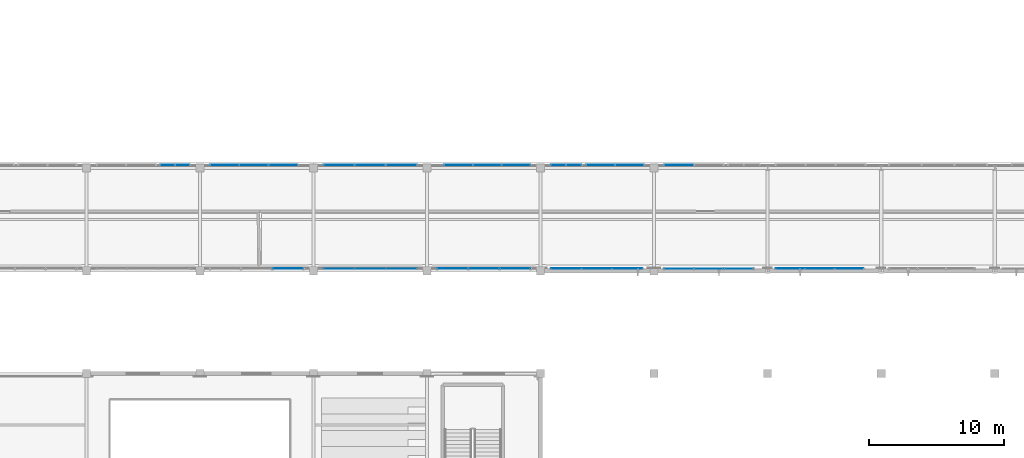
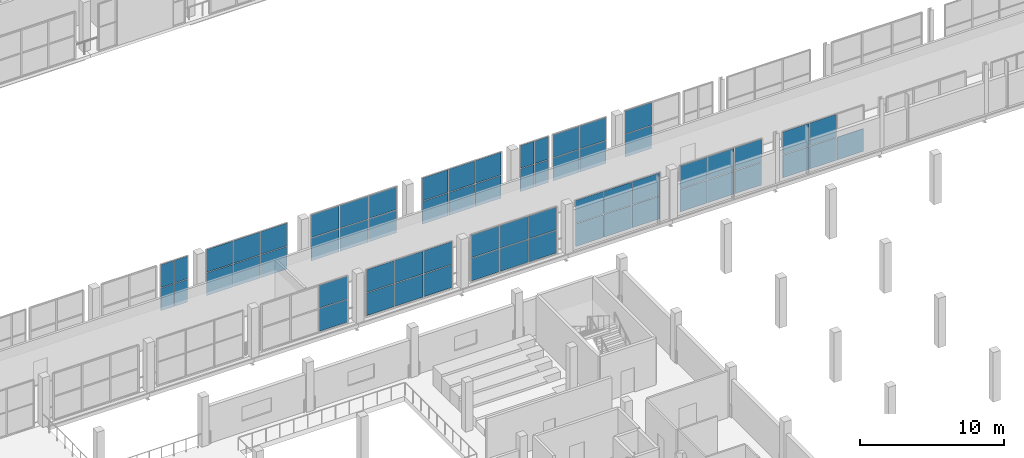
# One storey, part 115 of 151: 63 plates, 13 elements without a shape of their own.
"""IFC4 building model written with IfcOpenShell, lengths in metres."""

from ifc_helpers import new_model, si_unit, direction, frame, origin, origin_2d, place, context, subcontext, project, spatial, rectangle, extrude, material, layer, layer_set, type_object, element, aggregate, save


model = new_model("IFC4")

# Units and contexts
model_context = context("Model", 3, precision=1e-05, world=origin(), true_north=direction((0.0, 1.0)))
body_context = subcontext(model_context, "Body", "Model", "MODEL_VIEW")
ifc_project = project(units=[si_unit("LENGTHUNIT", "METRE"), si_unit("AREAUNIT", "SQUARE_METRE"), si_unit("VOLUMEUNIT", "CUBIC_METRE"), si_unit("PLANEANGLEUNIT", "RADIAN"), si_unit("MASSUNIT", "GRAM", prefix="KILO")], contexts=[model_context])

# Site, building, storey
site_placement = place(None, origin())
site = spatial("IfcSite", under=ifc_project, at=site_placement, CompositionType="ELEMENT")
building_placement = place(site_placement, origin())
building = spatial("IfcBuilding", under=site, at=building_placement, Name="Zuvorla Pavilion Media Centre", CompositionType="ELEMENT")
storey_placement = place(building_placement, frame((0.0, 0.0, 13.800048828125)))
storey = spatial("IfcBuildingStorey", under=building, at=storey_placement, Name="L03", CompositionType="ELEMENT", Elevation=13.800048828125)

# Curtain wall, plates
ifc_material_1 = material(Name="Unitised anodised aluminium and solar glass curtain wall", Category="aluminium")
curtain_wall_type_1 = type_object("IfcCurtainWallType", Name="CW-SYS-22", PredefinedType="USERDEFINED", material=ifc_material_1)
curtain_wall_1_placement = place(storey_placement, origin())
curtain_wall_1 = element("IfcCurtainWall", 1, at=curtain_wall_1_placement, inside=storey, type_object=curtain_wall_type_1, Name="L03 curtain wall CW22 140", ObjectType="CURTAIN WALL", PredefinedType="USERDEFINED")
ifc_material_2 = material(Name="Solar control double glazing", Category="glass")
ifc_layer_1 = layer(ifc_material_2, 0.028076171875)
ifc_layer_set_1 = layer_set([ifc_layer_1], Name="Solar control double glazing")
plate_type_1 = type_object("IfcPlateType", Name="CW-PNL-28", PredefinedType="CURTAIN_PANEL", material=ifc_layer_set_1)
plate_1_placement = place(storey_placement, frame((93.896240234375, 44.159912109375, 0.030029296875), z_axis=(0.0, 0.0, 1.0), x_axis=(1.0, 0.0, 0.0)))
plate_1 = element("IfcPlate", 2, at=plate_1_placement, type_object=plate_type_1, Name="CW22 panel 1.1", PredefinedType="CURTAIN_PANEL", context=body_context, shape_type="SweptSolid", body=[
    extrude(rectangle(XDim=2.243896484375, YDim=0.028076171875, at=origin_2d()), origin(), (0.0, 0.0, 1.0), 1.919921875),
])
plate_2_placement = place(storey_placement, frame((93.896240234375, 44.159912109375, 2.010009765625), z_axis=(0.0, 0.0, 1.0), x_axis=(1.0, 0.0, 0.0)))
plate_2 = element("IfcPlate", 3, at=plate_2_placement, type_object=plate_type_1, Name="CW22 panel 1.2", PredefinedType="CURTAIN_PANEL", context=body_context, shape_type="SweptSolid", body=[
    extrude(rectangle(XDim=2.243896484375, YDim=0.028076171875, at=origin_2d()), origin(), (0.0, 0.0, 1.0), 1.919921875),
])
plate_3_placement = place(storey_placement, frame((96.199951171875, 44.159912109375, 0.030029296875), z_axis=(0.0, 0.0, 1.0), x_axis=(1.0, 0.0, 0.0)))
plate_3 = element("IfcPlate", 4, at=plate_3_placement, type_object=plate_type_1, Name="CW22 panel 2.1", PredefinedType="CURTAIN_PANEL", context=body_context, shape_type="SweptSolid", body=[
    extrude(rectangle(XDim=2.243896484375, YDim=0.028076171875, at=origin_2d()), origin(), (0.0, 0.0, 1.0), 1.919921875),
])
plate_4_placement = place(storey_placement, frame((96.199951171875, 44.159912109375, 2.010009765625), z_axis=(0.0, 0.0, 1.0), x_axis=(1.0, 0.0, 0.0)))
plate_4 = element("IfcPlate", 5, at=plate_4_placement, type_object=plate_type_1, Name="CW22 panel 2.2", PredefinedType="CURTAIN_PANEL", context=body_context, shape_type="SweptSolid", body=[
    extrude(rectangle(XDim=2.243896484375, YDim=0.028076171875, at=origin_2d()), origin(), (0.0, 0.0, 1.0), 1.919921875),
])
plate_5_placement = place(storey_placement, frame((98.50390625, 44.159912109375, 0.030029296875), z_axis=(0.0, 0.0, 1.0), x_axis=(1.0, 0.0, 0.0)))
plate_5 = element("IfcPlate", 6, at=plate_5_placement, type_object=plate_type_1, Name="CW22 panel 3.1", PredefinedType="CURTAIN_PANEL", context=body_context, shape_type="SweptSolid", body=[
    extrude(rectangle(XDim=2.243896484375, YDim=0.028076171875, at=origin_2d()), origin(), (0.0, 0.0, 1.0), 1.919921875),
])
plate_6_placement = place(storey_placement, frame((98.50390625, 44.159912109375, 2.010009765625), z_axis=(0.0, 0.0, 1.0), x_axis=(1.0, 0.0, 0.0)))
plate_6 = element("IfcPlate", 7, at=plate_6_placement, type_object=plate_type_1, Name="CW22 panel 3.2", PredefinedType="CURTAIN_PANEL", context=body_context, shape_type="SweptSolid", body=[
    extrude(rectangle(XDim=2.243896484375, YDim=0.028076171875, at=origin_2d()), origin(), (0.0, 0.0, 1.0), 1.919921875),
])
aggregate(curtain_wall_1, [plate_1, plate_2, plate_3, plate_4, plate_5, plate_6])

curtain_wall_type_2 = type_object("IfcCurtainWallType", Name="CW-SYS-73", PredefinedType="USERDEFINED", material=ifc_material_1)
curtain_wall_2_placement = place(storey_placement, origin())
curtain_wall_2 = element("IfcCurtainWall", 8, at=curtain_wall_2_placement, inside=storey, type_object=curtain_wall_type_2, Name="L03 curtain wall CW73 143", ObjectType="CURTAIN WALL", PredefinedType="USERDEFINED")
plate_7_placement = place(storey_placement, frame((119.043701171875, 44.159912109375, 0.030029296875), z_axis=(0.0, 0.0, 1.0), x_axis=(1.0, 0.0, 0.0)))
plate_7 = element("IfcPlate", 9, at=plate_7_placement, type_object=plate_type_1, Name="CW73 panel 1.1", PredefinedType="CURTAIN_PANEL", context=body_context, shape_type="SweptSolid", body=[
    extrude(rectangle(XDim=2.138671875, YDim=0.028076171875, at=origin_2d()), origin(), (0.0, 0.0, 1.0), 1.919921875),
])
plate_8_placement = place(storey_placement, frame((119.043701171875, 44.159912109375, 2.010009765625), z_axis=(0.0, 0.0, 1.0), x_axis=(1.0, 0.0, 0.0)))
plate_8 = element("IfcPlate", 10, at=plate_8_placement, type_object=plate_type_1, Name="CW73 panel 1.2", PredefinedType="CURTAIN_PANEL", context=body_context, shape_type="SweptSolid", body=[
    extrude(rectangle(XDim=2.138671875, YDim=0.028076171875, at=origin_2d()), origin(), (0.0, 0.0, 1.0), 1.919921875),
])
plate_9_placement = place(storey_placement, frame((121.2421875, 44.159912109375, 0.030029296875), z_axis=(0.0, 0.0, 1.0), x_axis=(1.0, 0.0, 0.0)))
plate_9 = element("IfcPlate", 11, at=plate_9_placement, type_object=plate_type_1, Name="CW73 panel 2.1", PredefinedType="CURTAIN_PANEL", context=body_context, shape_type="SweptSolid", body=[
    extrude(rectangle(XDim=2.138671875, YDim=0.028076171875, at=origin_2d()), origin(), (0.0, 0.0, 1.0), 1.919921875),
])
plate_10_placement = place(storey_placement, frame((121.2421875, 44.159912109375, 2.010009765625), z_axis=(0.0, 0.0, 1.0), x_axis=(1.0, 0.0, 0.0)))
plate_10 = element("IfcPlate", 12, at=plate_10_placement, type_object=plate_type_1, Name="CW73 panel 2.2", PredefinedType="CURTAIN_PANEL", context=body_context, shape_type="SweptSolid", body=[
    extrude(rectangle(XDim=2.138671875, YDim=0.028076171875, at=origin_2d()), origin(), (0.0, 0.0, 1.0), 1.919921875),
])
plate_11_placement = place(storey_placement, frame((123.440673828125, 44.159912109375, 0.030029296875), z_axis=(0.0, 0.0, 1.0), x_axis=(1.0, 0.0, 0.0)))
plate_11 = element("IfcPlate", 13, at=plate_11_placement, type_object=plate_type_1, Name="CW73 panel 3.1", PredefinedType="CURTAIN_PANEL", context=body_context, shape_type="SweptSolid", body=[
    extrude(rectangle(XDim=2.138671875, YDim=0.028076171875, at=origin_2d()), origin(), (0.0, 0.0, 1.0), 1.919921875),
])
plate_12_placement = place(storey_placement, frame((123.440673828125, 44.159912109375, 2.010009765625), z_axis=(0.0, 0.0, 1.0), x_axis=(1.0, 0.0, 0.0)))
plate_12 = element("IfcPlate", 14, at=plate_12_placement, type_object=plate_type_1, Name="CW73 panel 3.2", PredefinedType="CURTAIN_PANEL", context=body_context, shape_type="SweptSolid", body=[
    extrude(rectangle(XDim=2.138671875, YDim=0.028076171875, at=origin_2d()), origin(), (0.0, 0.0, 1.0), 1.919921875),
])
aggregate(curtain_wall_2, [plate_7, plate_8, plate_9, plate_10, plate_11, plate_12])

curtain_wall_3_placement = place(storey_placement, origin())
curtain_wall_3 = element("IfcCurtainWall", 15, at=curtain_wall_3_placement, inside=storey, type_object=curtain_wall_type_1, Name="L03 curtain wall CW22 168", ObjectType="CURTAIN WALL", PredefinedType="USERDEFINED")
plate_13_placement = place(storey_placement, frame((93.896240234375, 51.840087890625, 0.030029296875), z_axis=(0.0, 0.0, 1.0), x_axis=(1.0, 0.0, 0.0)))
plate_13 = element("IfcPlate", 16, at=plate_13_placement, type_object=plate_type_1, Name="CW22 panel 1.1", PredefinedType="CURTAIN_PANEL", context=body_context, shape_type="SweptSolid", body=[
    extrude(rectangle(XDim=2.243896484375, YDim=0.028076171875, at=origin_2d()), origin(), (0.0, 0.0, 1.0), 1.919921875),
])
plate_14_placement = place(storey_placement, frame((93.896240234375, 51.840087890625, 2.010009765625), z_axis=(0.0, 0.0, 1.0), x_axis=(1.0, 0.0, 0.0)))
plate_14 = element("IfcPlate", 17, at=plate_14_placement, type_object=plate_type_1, Name="CW22 panel 1.2", PredefinedType="CURTAIN_PANEL", context=body_context, shape_type="SweptSolid", body=[
    extrude(rectangle(XDim=2.243896484375, YDim=0.028076171875, at=origin_2d()), origin(), (0.0, 0.0, 1.0), 1.919921875),
])
plate_15_placement = place(storey_placement, frame((96.199951171875, 51.840087890625, 0.030029296875), z_axis=(0.0, 0.0, 1.0), x_axis=(1.0, 0.0, 0.0)))
plate_15 = element("IfcPlate", 18, at=plate_15_placement, type_object=plate_type_1, Name="CW22 panel 2.1", PredefinedType="CURTAIN_PANEL", context=body_context, shape_type="SweptSolid", body=[
    extrude(rectangle(XDim=2.243896484375, YDim=0.028076171875, at=origin_2d()), origin(), (0.0, 0.0, 1.0), 1.919921875),
])
plate_16_placement = place(storey_placement, frame((96.199951171875, 51.840087890625, 2.010009765625), z_axis=(0.0, 0.0, 1.0), x_axis=(1.0, 0.0, 0.0)))
plate_16 = element("IfcPlate", 19, at=plate_16_placement, type_object=plate_type_1, Name="CW22 panel 2.2", PredefinedType="CURTAIN_PANEL", context=body_context, shape_type="SweptSolid", body=[
    extrude(rectangle(XDim=2.243896484375, YDim=0.028076171875, at=origin_2d()), origin(), (0.0, 0.0, 1.0), 1.919921875),
])
plate_17_placement = place(storey_placement, frame((98.50390625, 51.840087890625, 0.030029296875), z_axis=(0.0, 0.0, 1.0), x_axis=(1.0, 0.0, 0.0)))
plate_17 = element("IfcPlate", 20, at=plate_17_placement, type_object=plate_type_1, Name="CW22 panel 3.1", PredefinedType="CURTAIN_PANEL", context=body_context, shape_type="SweptSolid", body=[
    extrude(rectangle(XDim=2.243896484375, YDim=0.028076171875, at=origin_2d()), origin(), (0.0, 0.0, 1.0), 1.919921875),
])
plate_18_placement = place(storey_placement, frame((98.50390625, 51.840087890625, 2.010009765625), z_axis=(0.0, 0.0, 1.0), x_axis=(1.0, 0.0, 0.0)))
plate_18 = element("IfcPlate", 21, at=plate_18_placement, type_object=plate_type_1, Name="CW22 panel 3.2", PredefinedType="CURTAIN_PANEL", context=body_context, shape_type="SweptSolid", body=[
    extrude(rectangle(XDim=2.243896484375, YDim=0.028076171875, at=origin_2d()), origin(), (0.0, 0.0, 1.0), 1.919921875),
])
aggregate(curtain_wall_3, [plate_13, plate_14, plate_15, plate_16, plate_17, plate_18])

curtain_wall_type_3 = type_object("IfcCurtainWallType", Name="CW-SYS-70", PredefinedType="USERDEFINED", material=ifc_material_1)
curtain_wall_4_placement = place(storey_placement, origin())
curtain_wall_4 = element("IfcCurtainWall", 22, at=curtain_wall_4_placement, inside=storey, type_object=curtain_wall_type_3, Name="L03 curtain wall CW70 141", ObjectType="CURTAIN WALL", PredefinedType="USERDEFINED")
ifc_material_3 = material(Name="Acoustic laminated solar glazing", Category="glass")
ifc_layer_2 = layer(ifc_material_3, 0.033935546875)
ifc_layer_set_2 = layer_set([ifc_layer_2], Name="Acoustic laminated solar glazing")
plate_type_2 = type_object("IfcPlateType", Name="CW-PNL-34", PredefinedType="CURTAIN_PANEL", material=ifc_layer_set_2)
plate_19_placement = place(storey_placement, frame((102.296142578125, 44.159912109375, 0.030029296875), z_axis=(0.0, 0.0, 1.0), x_axis=(1.0, 0.0, 0.0)))
plate_19 = element("IfcPlate", 23, at=plate_19_placement, type_object=plate_type_2, Name="CW70 panel 1.1", PredefinedType="CURTAIN_PANEL", context=body_context, shape_type="SweptSolid", body=[
    extrude(rectangle(XDim=2.243896484375, YDim=0.033935546875, at=origin_2d()), origin(), (0.0, 0.0, 1.0), 1.919921875),
])
plate_20_placement = place(storey_placement, frame((102.296142578125, 44.159912109375, 2.010009765625), z_axis=(0.0, 0.0, 1.0), x_axis=(1.0, 0.0, 0.0)))
plate_20 = element("IfcPlate", 24, at=plate_20_placement, type_object=plate_type_2, Name="CW70 panel 1.2", PredefinedType="CURTAIN_PANEL", context=body_context, shape_type="SweptSolid", body=[
    extrude(rectangle(XDim=2.243896484375, YDim=0.033935546875, at=origin_2d()), origin(), (0.0, 0.0, 1.0), 1.919921875),
])
plate_21_placement = place(storey_placement, frame((104.60009765625, 44.159912109375, 0.030029296875), z_axis=(0.0, 0.0, 1.0), x_axis=(1.0, 0.0, 0.0)))
plate_21 = element("IfcPlate", 25, at=plate_21_placement, type_object=plate_type_2, Name="CW70 panel 2.1", PredefinedType="CURTAIN_PANEL", context=body_context, shape_type="SweptSolid", body=[
    extrude(rectangle(XDim=2.243896484375, YDim=0.033935546875, at=origin_2d()), origin(), (0.0, 0.0, 1.0), 1.919921875),
])
plate_22_placement = place(storey_placement, frame((104.60009765625, 44.159912109375, 2.010009765625), z_axis=(0.0, 0.0, 1.0), x_axis=(1.0, 0.0, 0.0)))
plate_22 = element("IfcPlate", 26, at=plate_22_placement, type_object=plate_type_2, Name="CW70 panel 2.2", PredefinedType="CURTAIN_PANEL", context=body_context, shape_type="SweptSolid", body=[
    extrude(rectangle(XDim=2.243896484375, YDim=0.033935546875, at=origin_2d()), origin(), (0.0, 0.0, 1.0), 1.919921875),
])
plate_23_placement = place(storey_placement, frame((106.90380859375, 44.159912109375, 0.030029296875), z_axis=(0.0, 0.0, 1.0), x_axis=(1.0, 0.0, 0.0)))
plate_23 = element("IfcPlate", 27, at=plate_23_placement, type_object=plate_type_2, Name="CW70 panel 3.1", PredefinedType="CURTAIN_PANEL", context=body_context, shape_type="SweptSolid", body=[
    extrude(rectangle(XDim=2.243896484375, YDim=0.033935546875, at=origin_2d()), origin(), (0.0, 0.0, 1.0), 1.919921875),
])
plate_24_placement = place(storey_placement, frame((106.90380859375, 44.159912109375, 2.010009765625), z_axis=(0.0, 0.0, 1.0), x_axis=(1.0, 0.0, 0.0)))
plate_24 = element("IfcPlate", 28, at=plate_24_placement, type_object=plate_type_2, Name="CW70 panel 3.2", PredefinedType="CURTAIN_PANEL", context=body_context, shape_type="SweptSolid", body=[
    extrude(rectangle(XDim=2.243896484375, YDim=0.033935546875, at=origin_2d()), origin(), (0.0, 0.0, 1.0), 1.919921875),
])
aggregate(curtain_wall_4, [plate_19, plate_20, plate_21, plate_22, plate_23, plate_24])

curtain_wall_type_4 = type_object("IfcCurtainWallType", Name="CW-SYS-63", PredefinedType="USERDEFINED", material=ifc_material_1)
curtain_wall_5_placement = place(storey_placement, origin())
curtain_wall_5 = element("IfcCurtainWall", 29, at=curtain_wall_5_placement, inside=storey, type_object=curtain_wall_type_4, Name="L03 curtain wall CW63 144", ObjectType="CURTAIN WALL", PredefinedType="USERDEFINED")
plate_25_placement = place(storey_placement, frame((127.270751953125, 44.159912109375, 0.030029296875), z_axis=(0.0, 0.0, 1.0), x_axis=(1.0, 0.0, 0.0)))
plate_25 = element("IfcPlate", 30, at=plate_25_placement, type_object=plate_type_2, Name="CW63 panel 1.1", PredefinedType="CURTAIN_PANEL", context=body_context, shape_type="SweptSolid", body=[
    extrude(rectangle(XDim=2.11767578125, YDim=0.033935546875, at=origin_2d()), origin(), (0.0, 0.0, 1.0), 1.919921875),
])
plate_26_placement = place(storey_placement, frame((127.270751953125, 44.159912109375, 2.010009765625), z_axis=(0.0, 0.0, 1.0), x_axis=(1.0, 0.0, 0.0)))
plate_26 = element("IfcPlate", 31, at=plate_26_placement, type_object=plate_type_2, Name="CW63 panel 1.2", PredefinedType="CURTAIN_PANEL", context=body_context, shape_type="SweptSolid", body=[
    extrude(rectangle(XDim=2.11767578125, YDim=0.033935546875, at=origin_2d()), origin(), (0.0, 0.0, 1.0), 1.919921875),
])
plate_27_placement = place(storey_placement, frame((129.448486328125, 44.159912109375, 0.030029296875), z_axis=(0.0, 0.0, 1.0), x_axis=(1.0, 0.0, 0.0)))
plate_27 = element("IfcPlate", 32, at=plate_27_placement, type_object=plate_type_2, Name="CW63 panel 2.1", PredefinedType="CURTAIN_PANEL", context=body_context, shape_type="SweptSolid", body=[
    extrude(rectangle(XDim=2.11767578125, YDim=0.033935546875, at=origin_2d()), origin(), (0.0, 0.0, 1.0), 1.919921875),
])
plate_28_placement = place(storey_placement, frame((129.448486328125, 44.159912109375, 2.010009765625), z_axis=(0.0, 0.0, 1.0), x_axis=(1.0, 0.0, 0.0)))
plate_28 = element("IfcPlate", 33, at=plate_28_placement, type_object=plate_type_2, Name="CW63 panel 2.2", PredefinedType="CURTAIN_PANEL", context=body_context, shape_type="SweptSolid", body=[
    extrude(rectangle(XDim=2.11767578125, YDim=0.033935546875, at=origin_2d()), origin(), (0.0, 0.0, 1.0), 1.919921875),
])
plate_29_placement = place(storey_placement, frame((131.626220703125, 44.159912109375, 0.030029296875), z_axis=(0.0, 0.0, 1.0), x_axis=(1.0, 0.0, 0.0)))
plate_29 = element("IfcPlate", 34, at=plate_29_placement, type_object=plate_type_2, Name="CW63 panel 3.1", PredefinedType="CURTAIN_PANEL", context=body_context, shape_type="SweptSolid", body=[
    extrude(rectangle(XDim=2.11767578125, YDim=0.033935546875, at=origin_2d()), origin(), (0.0, 0.0, 1.0), 1.919921875),
])
aggregate(curtain_wall_5, [plate_25, plate_26, plate_27, plate_28, plate_29])

curtain_wall_type_5 = type_object("IfcCurtainWallType", Name="CW-SYS-77", PredefinedType="USERDEFINED", material=ifc_material_1)
curtain_wall_6_placement = place(storey_placement, origin())
curtain_wall_6 = element("IfcCurtainWall", 35, at=curtain_wall_6_placement, inside=storey, type_object=curtain_wall_type_5, Name="L03 curtain wall CW77 170", ObjectType="CURTAIN WALL", PredefinedType="USERDEFINED")
plate_30_placement = place(storey_placement, frame((102.725830078125, 51.840087890625, 0.030029296875), z_axis=(0.0, 0.0, 1.0), x_axis=(1.0, 0.0, 0.0)))
plate_30 = element("IfcPlate", 36, at=plate_30_placement, type_object=plate_type_2, Name="CW77 panel 1.1", PredefinedType="CURTAIN_PANEL", context=body_context, shape_type="SweptSolid", body=[
    extrude(rectangle(XDim=2.072021484375, YDim=0.033935546875, at=origin_2d()), origin(), (0.0, 0.0, 1.0), 1.919921875),
])
plate_31_placement = place(storey_placement, frame((102.725830078125, 51.840087890625, 2.010009765625), z_axis=(0.0, 0.0, 1.0), x_axis=(1.0, 0.0, 0.0)))
plate_31 = element("IfcPlate", 37, at=plate_31_placement, type_object=plate_type_2, Name="CW77 panel 1.2", PredefinedType="CURTAIN_PANEL", context=body_context, shape_type="SweptSolid", body=[
    extrude(rectangle(XDim=2.072021484375, YDim=0.033935546875, at=origin_2d()), origin(), (0.0, 0.0, 1.0), 1.919921875),
])
plate_32_placement = place(storey_placement, frame((104.85791015625, 51.840087890625, 0.030029296875), z_axis=(0.0, 0.0, 1.0), x_axis=(1.0, 0.0, 0.0)))
plate_32 = element("IfcPlate", 38, at=plate_32_placement, type_object=plate_type_2, Name="CW77 panel 2.1", PredefinedType="CURTAIN_PANEL", context=body_context, shape_type="SweptSolid", body=[
    extrude(rectangle(XDim=2.072021484375, YDim=0.033935546875, at=origin_2d()), origin(), (0.0, 0.0, 1.0), 1.919921875),
])
plate_33_placement = place(storey_placement, frame((104.85791015625, 51.840087890625, 2.010009765625), z_axis=(0.0, 0.0, 1.0), x_axis=(1.0, 0.0, 0.0)))
plate_33 = element("IfcPlate", 39, at=plate_33_placement, type_object=plate_type_2, Name="CW77 panel 2.2", PredefinedType="CURTAIN_PANEL", context=body_context, shape_type="SweptSolid", body=[
    extrude(rectangle(XDim=2.072021484375, YDim=0.033935546875, at=origin_2d()), origin(), (0.0, 0.0, 1.0), 1.919921875),
])
plate_34_placement = place(storey_placement, frame((106.98974609375, 51.840087890625, 0.030029296875), z_axis=(0.0, 0.0, 1.0), x_axis=(1.0, 0.0, 0.0)))
plate_34 = element("IfcPlate", 40, at=plate_34_placement, type_object=plate_type_2, Name="CW77 panel 3.1", PredefinedType="CURTAIN_PANEL", context=body_context, shape_type="SweptSolid", body=[
    extrude(rectangle(XDim=2.072021484375, YDim=0.033935546875, at=origin_2d()), origin(), (0.0, 0.0, 1.0), 1.919921875),
])
plate_35_placement = place(storey_placement, frame((106.98974609375, 51.840087890625, 2.010009765625), z_axis=(0.0, 0.0, 1.0), x_axis=(1.0, 0.0, 0.0)))
plate_35 = element("IfcPlate", 41, at=plate_35_placement, type_object=plate_type_2, Name="CW77 panel 3.2", PredefinedType="CURTAIN_PANEL", context=body_context, shape_type="SweptSolid", body=[
    extrude(rectangle(XDim=2.072021484375, YDim=0.033935546875, at=origin_2d()), origin(), (0.0, 0.0, 1.0), 1.919921875),
])
aggregate(curtain_wall_6, [plate_30, plate_31, plate_32, plate_33, plate_34, plate_35])

curtain_wall_type_6 = type_object("IfcCurtainWallType", Name="CW-SYS-76", PredefinedType="USERDEFINED", material=ifc_material_1)
curtain_wall_7_placement = place(storey_placement, origin())
curtain_wall_7 = element("IfcCurtainWall", 42, at=curtain_wall_7_placement, inside=storey, type_object=curtain_wall_type_6, Name="L03 curtain wall CW76 171", ObjectType="CURTAIN WALL", PredefinedType="USERDEFINED")
plate_36_placement = place(storey_placement, frame((110.1181640625, 51.840087890625, 0.030029296875), z_axis=(0.0, 0.0, 1.0), x_axis=(1.0, 0.0, 0.0)))
plate_36 = element("IfcPlate", 43, at=plate_36_placement, type_object=plate_type_2, Name="CW76 panel 1.1", PredefinedType="CURTAIN_PANEL", context=body_context, shape_type="SweptSolid", body=[
    extrude(rectangle(XDim=1.087890625, YDim=0.033935546875, at=origin_2d()), origin(), (0.0, 0.0, 1.0), 1.919921875),
])
plate_37_placement = place(storey_placement, frame((110.1181640625, 51.840087890625, 2.010009765625), z_axis=(0.0, 0.0, 1.0), x_axis=(1.0, 0.0, 0.0)))
plate_37 = element("IfcPlate", 44, at=plate_37_placement, type_object=plate_type_2, Name="CW76 panel 1.2", PredefinedType="CURTAIN_PANEL", context=body_context, shape_type="SweptSolid", body=[
    extrude(rectangle(XDim=1.087890625, YDim=0.033935546875, at=origin_2d()), origin(), (0.0, 0.0, 1.0), 1.919921875),
])
plate_38_placement = place(storey_placement, frame((111.26611328125, 51.840087890625, 0.030029296875), z_axis=(0.0, 0.0, 1.0), x_axis=(1.0, 0.0, 0.0)))
plate_38 = element("IfcPlate", 45, at=plate_38_placement, type_object=plate_type_2, Name="CW76 panel 2.1", PredefinedType="CURTAIN_PANEL", context=body_context, shape_type="SweptSolid", body=[
    extrude(rectangle(XDim=1.087890625, YDim=0.033935546875, at=origin_2d()), origin(), (0.0, 0.0, 1.0), 1.919921875),
])
plate_39_placement = place(storey_placement, frame((111.26611328125, 51.840087890625, 2.010009765625), z_axis=(0.0, 0.0, 1.0), x_axis=(1.0, 0.0, 0.0)))
plate_39 = element("IfcPlate", 46, at=plate_39_placement, type_object=plate_type_2, Name="CW76 panel 2.2", PredefinedType="CURTAIN_PANEL", context=body_context, shape_type="SweptSolid", body=[
    extrude(rectangle(XDim=1.087890625, YDim=0.033935546875, at=origin_2d()), origin(), (0.0, 0.0, 1.0), 1.919921875),
])
aggregate(curtain_wall_7, [plate_36, plate_37, plate_38, plate_39])

curtain_wall_type_7 = type_object("IfcCurtainWallType", Name="CW-SYS-71", PredefinedType="USERDEFINED", material=ifc_material_1)
curtain_wall_8_placement = place(storey_placement, origin())
curtain_wall_8 = element("IfcCurtainWall", 47, at=curtain_wall_8_placement, inside=storey, type_object=curtain_wall_type_7, Name="L03 curtain wall CW71 139", ObjectType="CURTAIN WALL", PredefinedType="USERDEFINED")
ifc_material_4 = material(Name="Triple acoustic broadcast glazing", Category="glass")
ifc_layer_3 = layer(ifc_material_4, 0.0419921875)
ifc_layer_set_3 = layer_set([ifc_layer_3], Name="Triple acoustic broadcast glazing")
plate_type_3 = type_object("IfcPlateType", Name="CW-PNL-42", PredefinedType="CURTAIN_PANEL", material=ifc_layer_set_3)
plate_40_placement = place(storey_placement, frame((90.103759765625, 44.159912109375, 0.030029296875), z_axis=(0.0, 0.0, 1.0), x_axis=(1.0, 0.0, 0.0)))
plate_40 = element("IfcPlate", 48, at=plate_40_placement, type_object=plate_type_3, Name="CW71 panel 3.1", PredefinedType="CURTAIN_PANEL", context=body_context, shape_type="SweptSolid", body=[
    extrude(rectangle(XDim=2.243896484375, YDim=0.0419921875, at=origin_2d()), origin(), (0.0, 0.0, 1.0), 1.919921875),
])
plate_41_placement = place(storey_placement, frame((90.103759765625, 44.159912109375, 2.010009765625), z_axis=(0.0, 0.0, 1.0), x_axis=(1.0, 0.0, 0.0)))
plate_41 = element("IfcPlate", 49, at=plate_41_placement, type_object=plate_type_3, Name="CW71 panel 3.2", PredefinedType="CURTAIN_PANEL", context=body_context, shape_type="SweptSolid", body=[
    extrude(rectangle(XDim=2.243896484375, YDim=0.0419921875, at=origin_2d()), origin(), (0.0, 0.0, 1.0), 1.919921875),
])
aggregate(curtain_wall_8, [plate_40, plate_41])

curtain_wall_type_8 = type_object("IfcCurtainWallType", Name="CW-SYS-72", PredefinedType="USERDEFINED", material=ifc_material_1)
curtain_wall_9_placement = place(storey_placement, origin())
curtain_wall_9 = element("IfcCurtainWall", 50, at=curtain_wall_9_placement, inside=storey, type_object=curtain_wall_type_8, Name="L03 curtain wall CW72 142", ObjectType="CURTAIN WALL", PredefinedType="USERDEFINED")
plate_42_placement = place(storey_placement, frame((110.68115234375, 44.159912109375, 0.030029296875), z_axis=(0.0, 0.0, 1.0), x_axis=(1.0, 0.0, 0.0)))
plate_42 = element("IfcPlate", 51, at=plate_42_placement, type_object=plate_type_3, Name="CW72 panel 1.1", PredefinedType="CURTAIN_PANEL", context=body_context, shape_type="SweptSolid", body=[
    extrude(rectangle(XDim=2.213623046875, YDim=0.0419921875, at=origin_2d()), origin(), (0.0, 0.0, 1.0), 1.919921875),
])
plate_43_placement = place(storey_placement, frame((110.68115234375, 44.159912109375, 2.010009765625), z_axis=(0.0, 0.0, 1.0), x_axis=(1.0, 0.0, 0.0)))
plate_43 = element("IfcPlate", 52, at=plate_43_placement, type_object=plate_type_3, Name="CW72 panel 1.2", PredefinedType="CURTAIN_PANEL", context=body_context, shape_type="SweptSolid", body=[
    extrude(rectangle(XDim=2.213623046875, YDim=0.0419921875, at=origin_2d()), origin(), (0.0, 0.0, 1.0), 1.919921875),
])
plate_44_placement = place(storey_placement, frame((112.95458984375, 44.159912109375, 0.030029296875), z_axis=(0.0, 0.0, 1.0), x_axis=(1.0, 0.0, 0.0)))
plate_44 = element("IfcPlate", 53, at=plate_44_placement, type_object=plate_type_3, Name="CW72 panel 2.1", PredefinedType="CURTAIN_PANEL", context=body_context, shape_type="SweptSolid", body=[
    extrude(rectangle(XDim=2.213623046875, YDim=0.0419921875, at=origin_2d()), origin(), (0.0, 0.0, 1.0), 1.919921875),
])
plate_45_placement = place(storey_placement, frame((112.95458984375, 44.159912109375, 2.010009765625), z_axis=(0.0, 0.0, 1.0), x_axis=(1.0, 0.0, 0.0)))
plate_45 = element("IfcPlate", 54, at=plate_45_placement, type_object=plate_type_3, Name="CW72 panel 2.2", PredefinedType="CURTAIN_PANEL", context=body_context, shape_type="SweptSolid", body=[
    extrude(rectangle(XDim=2.213623046875, YDim=0.0419921875, at=origin_2d()), origin(), (0.0, 0.0, 1.0), 1.919921875),
])
plate_46_placement = place(storey_placement, frame((115.228271484375, 44.159912109375, 0.030029296875), z_axis=(0.0, 0.0, 1.0), x_axis=(1.0, 0.0, 0.0)))
plate_46 = element("IfcPlate", 55, at=plate_46_placement, type_object=plate_type_3, Name="CW72 panel 3.1", PredefinedType="CURTAIN_PANEL", context=body_context, shape_type="SweptSolid", body=[
    extrude(rectangle(XDim=2.213623046875, YDim=0.0419921875, at=origin_2d()), origin(), (0.0, 0.0, 1.0), 1.919921875),
])
plate_47_placement = place(storey_placement, frame((115.228271484375, 44.159912109375, 2.010009765625), z_axis=(0.0, 0.0, 1.0), x_axis=(1.0, 0.0, 0.0)))
plate_47 = element("IfcPlate", 56, at=plate_47_placement, type_object=plate_type_3, Name="CW72 panel 3.2", PredefinedType="CURTAIN_PANEL", context=body_context, shape_type="SweptSolid", body=[
    extrude(rectangle(XDim=2.213623046875, YDim=0.0419921875, at=origin_2d()), origin(), (0.0, 0.0, 1.0), 1.919921875),
])
aggregate(curtain_wall_9, [plate_42, plate_43, plate_44, plate_45, plate_46, plate_47])

curtain_wall_type_9 = type_object("IfcCurtainWallType", Name="CW-SYS-50", PredefinedType="USERDEFINED", material=ifc_material_1)
curtain_wall_10_placement = place(storey_placement, origin())
curtain_wall_10 = element("IfcCurtainWall", 57, at=curtain_wall_10_placement, inside=storey, type_object=curtain_wall_type_9, Name="L03 curtain wall CW50 164", ObjectType="CURTAIN WALL", PredefinedType="USERDEFINED")
plate_48_placement = place(storey_placement, frame((81.208984375, 51.840087890625, 0.030029296875), z_axis=(0.0, 0.0, 1.0), x_axis=(1.0, 0.0, 0.0)))
plate_48 = element("IfcPlate", 58, at=plate_48_placement, type_object=plate_type_3, Name="CW50 panel 1.1", PredefinedType="CURTAIN_PANEL", context=body_context, shape_type="SweptSolid", body=[
    extrude(rectangle(XDim=1.037841796875, YDim=0.0419921875, at=origin_2d()), origin(), (0.0, 0.0, 1.0), 1.919921875),
])
plate_49_placement = place(storey_placement, frame((81.208984375, 51.840087890625, 2.010009765625), z_axis=(0.0, 0.0, 1.0), x_axis=(1.0, 0.0, 0.0)))
plate_49 = element("IfcPlate", 59, at=plate_49_placement, type_object=plate_type_3, Name="CW50 panel 1.2", PredefinedType="CURTAIN_PANEL", context=body_context, shape_type="SweptSolid", body=[
    extrude(rectangle(XDim=1.037841796875, YDim=0.0419921875, at=origin_2d()), origin(), (0.0, 0.0, 1.0), 1.919921875),
])
plate_50_placement = place(storey_placement, frame((82.306884765625, 51.840087890625, 0.030029296875), z_axis=(0.0, 0.0, 1.0), x_axis=(1.0, 0.0, 0.0)))
plate_50 = element("IfcPlate", 60, at=plate_50_placement, type_object=plate_type_3, Name="CW50 panel 2.1", PredefinedType="CURTAIN_PANEL", context=body_context, shape_type="SweptSolid", body=[
    extrude(rectangle(XDim=1.037841796875, YDim=0.0419921875, at=origin_2d()), origin(), (0.0, 0.0, 1.0), 1.919921875),
])
plate_51_placement = place(storey_placement, frame((82.306884765625, 51.840087890625, 2.010009765625), z_axis=(0.0, 0.0, 1.0), x_axis=(1.0, 0.0, 0.0)))
plate_51 = element("IfcPlate", 61, at=plate_51_placement, type_object=plate_type_3, Name="CW50 panel 2.2", PredefinedType="CURTAIN_PANEL", context=body_context, shape_type="SweptSolid", body=[
    extrude(rectangle(XDim=1.037841796875, YDim=0.0419921875, at=origin_2d()), origin(), (0.0, 0.0, 1.0), 1.919921875),
])
aggregate(curtain_wall_10, [plate_48, plate_49, plate_50, plate_51])

curtain_wall_type_10 = type_object("IfcCurtainWallType", Name="CW-SYS-80", PredefinedType="USERDEFINED", material=ifc_material_1)
curtain_wall_11_placement = place(storey_placement, origin())
curtain_wall_11 = element("IfcCurtainWall", 62, at=curtain_wall_11_placement, inside=storey, type_object=curtain_wall_type_10, Name="L03 curtain wall CW80 165", ObjectType="CURTAIN WALL", PredefinedType="USERDEFINED")
plate_52_placement = place(storey_placement, frame((85.427001953125, 51.840087890625, 0.030029296875), z_axis=(0.0, 0.0, 1.0), x_axis=(1.0, 0.0, 0.0)))
plate_52 = element("IfcPlate", 63, at=plate_52_placement, type_object=plate_type_3, Name="CW80 panel 1.1", PredefinedType="CURTAIN_PANEL", context=body_context, shape_type="SweptSolid", body=[
    extrude(rectangle(XDim=2.105224609375, YDim=0.0419921875, at=origin_2d()), origin(), (0.0, 0.0, 1.0), 1.919921875),
])
plate_53_placement = place(storey_placement, frame((85.427001953125, 51.840087890625, 2.010009765625), z_axis=(0.0, 0.0, 1.0), x_axis=(1.0, 0.0, 0.0)))
plate_53 = element("IfcPlate", 64, at=plate_53_placement, type_object=plate_type_3, Name="CW80 panel 1.2", PredefinedType="CURTAIN_PANEL", context=body_context, shape_type="SweptSolid", body=[
    extrude(rectangle(XDim=2.105224609375, YDim=0.0419921875, at=origin_2d()), origin(), (0.0, 0.0, 1.0), 1.919921875),
])
plate_54_placement = place(storey_placement, frame((87.592041015625, 51.840087890625, 0.030029296875), z_axis=(0.0, 0.0, 1.0), x_axis=(1.0, 0.0, 0.0)))
plate_54 = element("IfcPlate", 65, at=plate_54_placement, type_object=plate_type_3, Name="CW80 panel 2.1", PredefinedType="CURTAIN_PANEL", context=body_context, shape_type="SweptSolid", body=[
    extrude(rectangle(XDim=2.105224609375, YDim=0.0419921875, at=origin_2d()), origin(), (0.0, 0.0, 1.0), 1.919921875),
])
plate_55_placement = place(storey_placement, frame((87.592041015625, 51.840087890625, 2.010009765625), z_axis=(0.0, 0.0, 1.0), x_axis=(1.0, 0.0, 0.0)))
plate_55 = element("IfcPlate", 66, at=plate_55_placement, type_object=plate_type_3, Name="CW80 panel 2.2", PredefinedType="CURTAIN_PANEL", context=body_context, shape_type="SweptSolid", body=[
    extrude(rectangle(XDim=2.105224609375, YDim=0.0419921875, at=origin_2d()), origin(), (0.0, 0.0, 1.0), 1.919921875),
])
plate_56_placement = place(storey_placement, frame((89.75732421875, 51.840087890625, 0.030029296875), z_axis=(0.0, 0.0, 1.0), x_axis=(1.0, 0.0, 0.0)))
plate_56 = element("IfcPlate", 67, at=plate_56_placement, type_object=plate_type_3, Name="CW80 panel 3.1", PredefinedType="CURTAIN_PANEL", context=body_context, shape_type="SweptSolid", body=[
    extrude(rectangle(XDim=2.105224609375, YDim=0.0419921875, at=origin_2d()), origin(), (0.0, 0.0, 1.0), 1.919921875),
])
plate_57_placement = place(storey_placement, frame((89.75732421875, 51.840087890625, 2.010009765625), z_axis=(0.0, 0.0, 1.0), x_axis=(1.0, 0.0, 0.0)))
plate_57 = element("IfcPlate", 68, at=plate_57_placement, type_object=plate_type_3, Name="CW80 panel 3.2", PredefinedType="CURTAIN_PANEL", context=body_context, shape_type="SweptSolid", body=[
    extrude(rectangle(XDim=2.105224609375, YDim=0.0419921875, at=origin_2d()), origin(), (0.0, 0.0, 1.0), 1.919921875),
])
aggregate(curtain_wall_11, [plate_52, plate_53, plate_54, plate_55, plate_56, plate_57])

curtain_wall_type_11 = type_object("IfcCurtainWallType", Name="CW-SYS-42", PredefinedType="USERDEFINED", material=ifc_material_1)
curtain_wall_12_placement = place(storey_placement, origin())
curtain_wall_12 = element("IfcCurtainWall", 69, at=curtain_wall_12_placement, inside=storey, type_object=curtain_wall_type_11, Name="L03 curtain wall CW42 174", ObjectType="CURTAIN WALL", PredefinedType="USERDEFINED")
plate_58_placement = place(storey_placement, frame((113.23388671875, 51.840087890625, 0.030029296875), z_axis=(0.0, 0.0, 1.0), x_axis=(1.0, 0.0, 0.0)))
plate_58 = element("IfcPlate", 70, at=plate_58_placement, type_object=plate_type_3, Name="CW42 panel 1.1", PredefinedType="CURTAIN_PANEL", context=body_context, shape_type="SweptSolid", body=[
    extrude(rectangle(XDim=2.087890625, YDim=0.0419921875, at=origin_2d()), origin(), (0.0, 0.0, 1.0), 1.919921875),
])
plate_59_placement = place(storey_placement, frame((113.23388671875, 51.840087890625, 2.010009765625), z_axis=(0.0, 0.0, 1.0), x_axis=(1.0, 0.0, 0.0)))
plate_59 = element("IfcPlate", 71, at=plate_59_placement, type_object=plate_type_3, Name="CW42 panel 1.2", PredefinedType="CURTAIN_PANEL", context=body_context, shape_type="SweptSolid", body=[
    extrude(rectangle(XDim=2.087890625, YDim=0.0419921875, at=origin_2d()), origin(), (0.0, 0.0, 1.0), 1.919921875),
])
plate_60_placement = place(storey_placement, frame((115.3818359375, 51.840087890625, 0.030029296875), z_axis=(0.0, 0.0, 1.0), x_axis=(1.0, 0.0, 0.0)))
plate_60 = element("IfcPlate", 72, at=plate_60_placement, type_object=plate_type_3, Name="CW42 panel 2.1", PredefinedType="CURTAIN_PANEL", context=body_context, shape_type="SweptSolid", body=[
    extrude(rectangle(XDim=2.087890625, YDim=0.0419921875, at=origin_2d()), origin(), (0.0, 0.0, 1.0), 1.919921875),
])
plate_61_placement = place(storey_placement, frame((115.3818359375, 51.840087890625, 2.010009765625), z_axis=(0.0, 0.0, 1.0), x_axis=(1.0, 0.0, 0.0)))
plate_61 = element("IfcPlate", 73, at=plate_61_placement, type_object=plate_type_3, Name="CW42 panel 2.2", PredefinedType="CURTAIN_PANEL", context=body_context, shape_type="SweptSolid", body=[
    extrude(rectangle(XDim=2.087890625, YDim=0.0419921875, at=origin_2d()), origin(), (0.0, 0.0, 1.0), 1.919921875),
])
aggregate(curtain_wall_12, [plate_58, plate_59, plate_60, plate_61])

curtain_wall_type_12 = type_object("IfcCurtainWallType", Name="CW-SYS-79", PredefinedType="USERDEFINED", material=ifc_material_1)
curtain_wall_13_placement = place(storey_placement, origin())
curtain_wall_13 = element("IfcCurtainWall", 74, at=curtain_wall_13_placement, inside=storey, type_object=curtain_wall_type_12, Name="L03 curtain wall CW79 175", ObjectType="CURTAIN WALL", PredefinedType="USERDEFINED")
plate_62_placement = place(storey_placement, frame((119.043212890625, 51.840087890625, 0.030029296875), z_axis=(0.0, 0.0, 1.0), x_axis=(1.0, 0.0, 0.0)))
plate_62 = element("IfcPlate", 75, at=plate_62_placement, type_object=plate_type_3, Name="CW79 panel 1.1", PredefinedType="CURTAIN_PANEL", context=body_context, shape_type="SweptSolid", body=[
    extrude(rectangle(XDim=2.137939453125, YDim=0.0419921875, at=origin_2d()), origin(), (0.0, 0.0, 1.0), 1.919921875),
])
plate_63_placement = place(storey_placement, frame((119.043212890625, 51.840087890625, 2.010009765625), z_axis=(0.0, 0.0, 1.0), x_axis=(1.0, 0.0, 0.0)))
plate_63 = element("IfcPlate", 76, at=plate_63_placement, type_object=plate_type_3, Name="CW79 panel 1.2", PredefinedType="CURTAIN_PANEL", context=body_context, shape_type="SweptSolid", body=[
    extrude(rectangle(XDim=2.137939453125, YDim=0.0419921875, at=origin_2d()), origin(), (0.0, 0.0, 1.0), 1.919921875),
])
aggregate(curtain_wall_13, [plate_62, plate_63])

save(model, "model.ifc")
